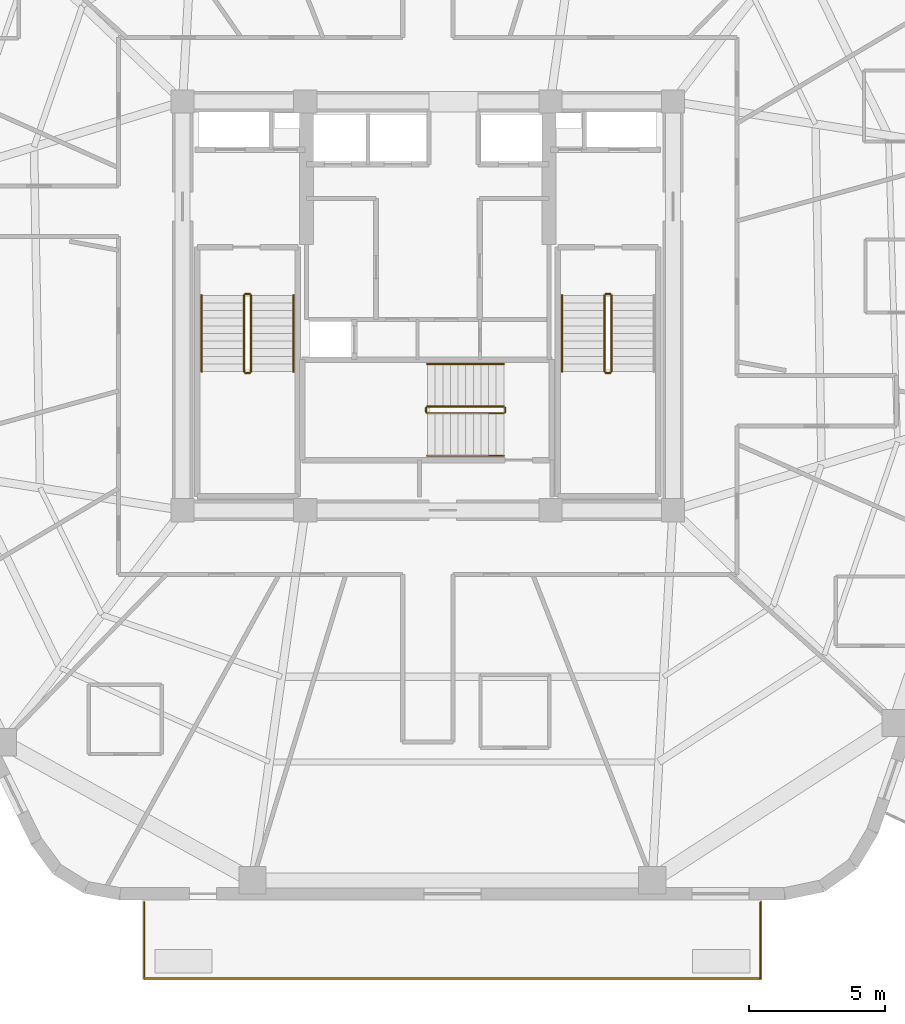
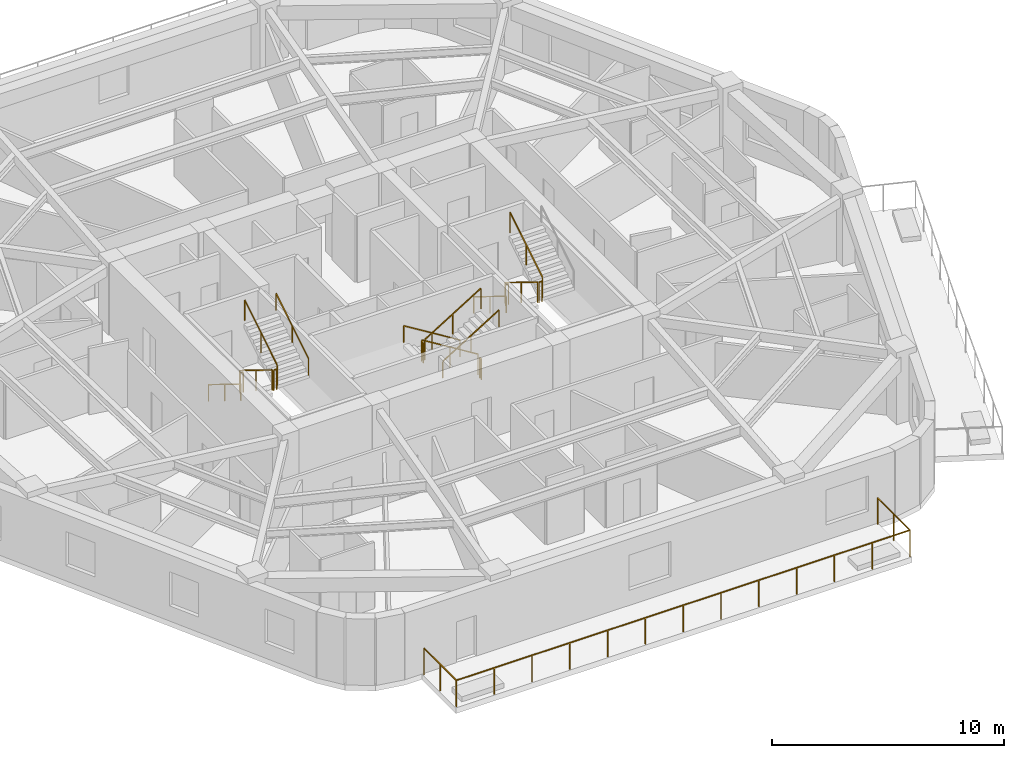
# One storey, part 8 of 9: 18 railings.
"""IFC4 building model written with IfcOpenShell, lengths in metres."""

from ifc_helpers import new_model, si_unit, direction, frame, origin, origin_2d, place, context, subcontext, project, spatial, rectangle, extrude, material, layer, layer_set, type_object, element, save


model = new_model("IFC4")

# Units and contexts
model_context = context("Model", 3, precision=1e-05, world=origin(), true_north=direction((0.0, 1.0)))
body_context = subcontext(model_context, "Body", "Model", "MODEL_VIEW")
ifc_project = project(units=[si_unit("LENGTHUNIT", "METRE"), si_unit("AREAUNIT", "SQUARE_METRE"), si_unit("VOLUMEUNIT", "CUBIC_METRE"), si_unit("PLANEANGLEUNIT", "RADIAN"), si_unit("MASSUNIT", "GRAM", prefix="KILO")], contexts=[model_context])

# Site, building, storey
site_placement = place(None, origin())
site = spatial("IfcSite", under=ifc_project, at=site_placement, CompositionType="ELEMENT")
building_placement = place(site_placement, origin())
building = spatial("IfcBuilding", under=site, at=building_placement, Name="Kilnhurst Terrace Hotel", CompositionType="ELEMENT")
storey_placement = place(building_placement, frame((0.0, 0.0, 225.5)))
storey = spatial("IfcBuildingStorey", under=building, at=storey_placement, Name="L56", CompositionType="ELEMENT", Elevation=225.5)

# Railings
ifc_material_1 = material(Name="Laminated SentryGlas and Stainless Steel AISI 316L Balustrade", Category="steel")
ifc_layer_1 = layer(ifc_material_1, 0.070068359375, Name="Laminated SentryGlas and Stainless Steel AISI 316L Balustrade")
ifc_layer_set_1 = layer_set([ifc_layer_1], Name="Laminated SentryGlas and Stainless Steel AISI 316L Balustrade")
railing_type_1 = type_object("IfcRailingType", Name="RLG-BAL-1420", PredefinedType="BALUSTRADE", material=ifc_layer_set_1)
railing_1_placement = place(storey_placement, frame((12.21484375, -21.8798828125, 0.0)))
element("IfcRailing", 1, at=railing_1_placement, inside=storey, type_object=railing_type_1, Name="L56 Exterior Terrace Guardrail BAL-L1A.1", PredefinedType="BALUSTRADE", context=body_context, shape_type="SweptSolid", body=[
    extrude(rectangle(XDim=0.048095703125, YDim=0.048095703125, at=origin_2d()), frame((0.0, 0.0, 1.39599609375), z_axis=(0.0, -1.0, 0.0), x_axis=(1.0, 0.0, 0.0)), (0.0, 0.0, 1.0), 2.800048828125),
    extrude(rectangle(XDim=0.048095703125, YDim=0.048095703125, at=origin_2d()), frame((0.0, -2.800048828125, 1.39599609375), z_axis=(-1.0, 0.0, 0.0), x_axis=(0.0, -1.0, 0.0)), (0.0, 0.0, 1.0), 22.62353515625),
    extrude(rectangle(XDim=0.048095703125, YDim=0.048095703125, at=origin_2d()), frame((-22.62353515625, -2.800048828125, 1.39599609375), z_axis=(0.0, 1.0, 0.0), x_axis=(-1.0, 0.0, 0.0)), (0.0, 0.0, 1.0), 2.800048828125),
    extrude(rectangle(XDim=0.0419921875, YDim=0.0419921875, at=origin_2d()), origin(), (0.0, 0.0, 1.0), 1.371826171875),
    extrude(rectangle(XDim=0.0419921875, YDim=0.0419921875, at=origin_2d()), frame((0.0, -1.39990234375, 0.0)), (0.0, 0.0, 1.0), 1.371826171875),
    extrude(rectangle(XDim=0.0419921875, YDim=0.0419921875, at=origin_2d()), frame((0.0, -2.800048828125, 0.0)), (0.0, 0.0, 1.0), 1.371826171875),
    extrude(rectangle(XDim=0.0419921875, YDim=0.0419921875, at=origin_2d()), frame((-1.88525390625, -2.800048828125, 0.0)), (0.0, 0.0, 1.0), 1.371826171875),
    extrude(rectangle(XDim=0.0419921875, YDim=0.0419921875, at=origin_2d()), frame((-3.7705078125, -2.800048828125, 0.0)), (0.0, 0.0, 1.0), 1.371826171875),
    extrude(rectangle(XDim=0.0419921875, YDim=0.0419921875, at=origin_2d()), frame((-5.65576171875, -2.800048828125, 0.0)), (0.0, 0.0, 1.0), 1.371826171875),
    extrude(rectangle(XDim=0.0419921875, YDim=0.0419921875, at=origin_2d()), frame((-7.541259765625, -2.800048828125, 0.0)), (0.0, 0.0, 1.0), 1.371826171875),
    extrude(rectangle(XDim=0.0419921875, YDim=0.0419921875, at=origin_2d()), frame((-9.426513671875, -2.800048828125, 0.0)), (0.0, 0.0, 1.0), 1.371826171875),
    extrude(rectangle(XDim=0.0419921875, YDim=0.0419921875, at=origin_2d()), frame((-11.311767578125, -2.800048828125, 0.0)), (0.0, 0.0, 1.0), 1.371826171875),
    extrude(rectangle(XDim=0.0419921875, YDim=0.0419921875, at=origin_2d()), frame((-13.197021484375, -2.800048828125, 0.0)), (0.0, 0.0, 1.0), 1.371826171875),
    extrude(rectangle(XDim=0.0419921875, YDim=0.0419921875, at=origin_2d()), frame((-15.082275390625, -2.800048828125, 0.0)), (0.0, 0.0, 1.0), 1.371826171875),
    extrude(rectangle(XDim=0.0419921875, YDim=0.0419921875, at=origin_2d()), frame((-16.9677734375, -2.800048828125, 0.0)), (0.0, 0.0, 1.0), 1.371826171875),
    extrude(rectangle(XDim=0.0419921875, YDim=0.0419921875, at=origin_2d()), frame((-18.85302734375, -2.800048828125, 0.0)), (0.0, 0.0, 1.0), 1.371826171875),
    extrude(rectangle(XDim=0.0419921875, YDim=0.0419921875, at=origin_2d()), frame((-20.73828125, -2.800048828125, 0.0)), (0.0, 0.0, 1.0), 1.371826171875),
    extrude(rectangle(XDim=0.0419921875, YDim=0.0419921875, at=origin_2d()), frame((-22.62353515625, -2.800048828125, 0.0)), (0.0, 0.0, 1.0), 1.371826171875),
    extrude(rectangle(XDim=0.0419921875, YDim=0.0419921875, at=origin_2d()), frame((-22.62353515625, -1.39990234375, 0.0)), (0.0, 0.0, 1.0), 1.371826171875),
    extrude(rectangle(XDim=0.0419921875, YDim=0.0419921875, at=origin_2d()), frame((-22.62353515625, 0.0, 0.0)), (0.0, 0.0, 1.0), 1.371826171875),
])
ifc_material_2 = material(Name="Powder-Coated Steel ASTM A500 Grade B", Category="steel")
ifc_layer_2 = layer(ifc_material_2, 0.050048828125, Name="Powder-Coated Steel ASTM A500 Grade B")
ifc_layer_set_2 = layer_set([ifc_layer_2], Name="Powder-Coated Steel ASTM A500 Grade B")
railing_type_2 = type_object("IfcRailingType", Name="RLG-ST-GRD-1100", PredefinedType="GUARDRAIL", material=ifc_layer_set_2)
railing_2_placement = place(storey_placement, frame((-6.739990234375, 0.389892578125, 0.172607421875)))
element("IfcRailing", 2, at=railing_2_placement, inside=storey, type_object=railing_type_2, Name="L56 ST-1 stair guard 1", PredefinedType="GUARDRAIL", context=body_context, shape_type="SweptSolid", body=[
    extrude(rectangle(XDim=0.048095703125, YDim=0.048095703125, at=origin_2d()), frame((0.0, 0.0, 1.076171875), z_axis=(0.0, -0.851069175582, 0.525053576669), x_axis=(1.0, 0.0, 0.0)), (0.0, 0.0, 1.0), 3.289794921875),
    extrude(rectangle(XDim=0.0419921875, YDim=0.0419921875, at=origin_2d()), origin(), (0.0, 0.0, 1.0), 1.052001953125),
    extrude(rectangle(XDim=0.0419921875, YDim=0.0419921875, at=origin_2d()), frame((0.0, -1.39990234375, 0.86376953125)), (0.0, 0.0, 1.0), 1.052001953125),
    extrude(rectangle(XDim=0.0419921875, YDim=0.0419921875, at=origin_2d()), frame((0.0, -2.7998046875, 1.727294921875)), (0.0, 0.0, 1.0), 1.052001953125),
])
railing_3_placement = place(storey_placement, frame((-6.68994140625, -2.4599609375, 1.89990234375)))
element("IfcRailing", 3, at=railing_3_placement, inside=storey, type_object=railing_type_2, Name="L56 ST-1 stair guard 2", PredefinedType="GUARDRAIL", context=body_context, shape_type="SweptSolid", body=[
    extrude(rectangle(XDim=0.048095703125, YDim=0.048095703125, at=origin_2d()), frame((0.0, 0.0, 1.076171875), z_axis=(1.0, 0.0, 0.0), x_axis=(0.0, 1.0, 0.0)), (0.0, 0.0, 1.0), 0.14990234375),
    extrude(rectangle(XDim=0.0419921875, YDim=0.0419921875, at=origin_2d()), origin(), (0.0, 0.0, 1.0), 1.052001953125),
    extrude(rectangle(XDim=0.0419921875, YDim=0.0419921875, at=origin_2d()), frame((0.14990234375, 0.0, 0.0)), (0.0, 0.0, 1.0), 1.052001953125),
])
railing_4_placement = place(storey_placement, frame((-6.489990234375, -2.409912109375, 2.07275390625)))
element("IfcRailing", 4, at=railing_4_placement, inside=storey, type_object=railing_type_2, Name="L56 ST-1 stair guard 3", PredefinedType="GUARDRAIL", context=body_context, shape_type="SweptSolid", body=[
    extrude(rectangle(XDim=0.048095703125, YDim=0.048095703125, at=origin_2d()), frame((0.0, 0.0, 1.076171875), z_axis=(0.0, 0.851069175582, 0.525053576669), x_axis=(-1.0, 0.0, 0.0)), (0.0, 0.0, 1.0), 3.289794921875),
    extrude(rectangle(XDim=0.0419921875, YDim=0.0419921875, at=origin_2d()), origin(), (0.0, 0.0, 1.0), 1.052001953125),
    extrude(rectangle(XDim=0.0419921875, YDim=0.0419921875, at=origin_2d()), frame((0.0, 1.39990234375, 0.86376953125)), (0.0, 0.0, 1.0), 1.052001953125),
    extrude(rectangle(XDim=0.0419921875, YDim=0.0419921875, at=origin_2d()), frame((0.0, 2.7998046875, 1.727294921875)), (0.0, 0.0, 1.0), 1.052001953125),
])
railing_5_placement = place(storey_placement, frame((-6.68994140625, 0.43994140625, 0.0)))
element("IfcRailing", 5, at=railing_5_placement, inside=storey, type_object=railing_type_2, Name="L56 ST-1 stair guard 4", PredefinedType="GUARDRAIL", context=body_context, shape_type="SweptSolid", body=[
    extrude(rectangle(XDim=0.048095703125, YDim=0.048095703125, at=origin_2d()), frame((0.0, 0.0, 1.076171875), z_axis=(1.0, 0.0, 0.0), x_axis=(0.0, 1.0, 0.0)), (0.0, 0.0, 1.0), 0.14990234375),
    extrude(rectangle(XDim=0.0419921875, YDim=0.0419921875, at=origin_2d()), origin(), (0.0, 0.0, 1.0), 1.052001953125),
    extrude(rectangle(XDim=0.0419921875, YDim=0.0419921875, at=origin_2d()), frame((0.14990234375, 0.0, 0.0)), (0.0, 0.0, 1.0), 1.052001953125),
])
railing_6_placement = place(storey_placement, frame((6.489990234375, 0.389892578125, 0.172607421875)))
element("IfcRailing", 6, at=railing_6_placement, inside=storey, type_object=railing_type_2, Name="L56 ST-2 stair guard 1", PredefinedType="GUARDRAIL", context=body_context, shape_type="SweptSolid", body=[
    extrude(rectangle(XDim=0.048095703125, YDim=0.048095703125, at=origin_2d()), frame((0.0, 0.0, 1.076171875), z_axis=(0.0, -0.851069175582, 0.525053576669), x_axis=(1.0, 0.0, 0.0)), (0.0, 0.0, 1.0), 3.289794921875),
    extrude(rectangle(XDim=0.0419921875, YDim=0.0419921875, at=origin_2d()), origin(), (0.0, 0.0, 1.0), 1.052001953125),
    extrude(rectangle(XDim=0.0419921875, YDim=0.0419921875, at=origin_2d()), frame((0.0, -1.39990234375, 0.86376953125)), (0.0, 0.0, 1.0), 1.052001953125),
    extrude(rectangle(XDim=0.0419921875, YDim=0.0419921875, at=origin_2d()), frame((0.0, -2.7998046875, 1.727294921875)), (0.0, 0.0, 1.0), 1.052001953125),
])
railing_7_placement = place(storey_placement, frame((6.5400390625, -2.4599609375, 1.89990234375)))
element("IfcRailing", 7, at=railing_7_placement, inside=storey, type_object=railing_type_2, Name="L56 ST-2 stair guard 2", PredefinedType="GUARDRAIL", context=body_context, shape_type="SweptSolid", body=[
    extrude(rectangle(XDim=0.048095703125, YDim=0.048095703125, at=origin_2d()), frame((0.0, 0.0, 1.076171875), z_axis=(1.0, 0.0, 0.0), x_axis=(0.0, 1.0, 0.0)), (0.0, 0.0, 1.0), 0.14990234375),
    extrude(rectangle(XDim=0.0419921875, YDim=0.0419921875, at=origin_2d()), origin(), (0.0, 0.0, 1.0), 1.052001953125),
    extrude(rectangle(XDim=0.0419921875, YDim=0.0419921875, at=origin_2d()), frame((0.14990234375, 0.0, 0.0)), (0.0, 0.0, 1.0), 1.052001953125),
])
railing_8_placement = place(storey_placement, frame((6.739990234375, -2.409912109375, 2.07275390625)))
element("IfcRailing", 8, at=railing_8_placement, inside=storey, type_object=railing_type_2, Name="L56 ST-2 stair guard 3", PredefinedType="GUARDRAIL", context=body_context, shape_type="SweptSolid", body=[
    extrude(rectangle(XDim=0.048095703125, YDim=0.048095703125, at=origin_2d()), frame((0.0, 0.0, 1.076171875), z_axis=(0.0, 0.851069175582, 0.525053576669), x_axis=(-1.0, 0.0, 0.0)), (0.0, 0.0, 1.0), 3.289794921875),
    extrude(rectangle(XDim=0.0419921875, YDim=0.0419921875, at=origin_2d()), origin(), (0.0, 0.0, 1.0), 1.052001953125),
    extrude(rectangle(XDim=0.0419921875, YDim=0.0419921875, at=origin_2d()), frame((0.0, 1.39990234375, 0.86376953125)), (0.0, 0.0, 1.0), 1.052001953125),
    extrude(rectangle(XDim=0.0419921875, YDim=0.0419921875, at=origin_2d()), frame((0.0, 2.7998046875, 1.727294921875)), (0.0, 0.0, 1.0), 1.052001953125),
])
railing_9_placement = place(storey_placement, frame((6.5400390625, 0.43994140625, 0.0)))
element("IfcRailing", 9, at=railing_9_placement, inside=storey, type_object=railing_type_2, Name="L56 ST-2 stair guard 4", PredefinedType="GUARDRAIL", context=body_context, shape_type="SweptSolid", body=[
    extrude(rectangle(XDim=0.048095703125, YDim=0.048095703125, at=origin_2d()), frame((0.0, 0.0, 1.076171875), z_axis=(1.0, 0.0, 0.0), x_axis=(0.0, 1.0, 0.0)), (0.0, 0.0, 1.0), 0.14990234375),
    extrude(rectangle(XDim=0.0419921875, YDim=0.0419921875, at=origin_2d()), origin(), (0.0, 0.0, 1.0), 1.052001953125),
    extrude(rectangle(XDim=0.0419921875, YDim=0.0419921875, at=origin_2d()), frame((0.14990234375, 0.0, 0.0)), (0.0, 0.0, 1.0), 1.052001953125),
])
railing_10_placement = place(storey_placement, frame((2.7900390625, -3.68994140625, 0.172607421875)))
element("IfcRailing", 10, at=railing_10_placement, inside=storey, type_object=railing_type_2, Name="L56 ST-3 stair guard 1", PredefinedType="GUARDRAIL", context=body_context, shape_type="SweptSolid", body=[
    extrude(rectangle(XDim=0.048095703125, YDim=0.048095703125, at=origin_2d()), frame((0.0, 0.0, 1.076171875), z_axis=(-0.851089632645, 0.0, 0.525020415988), x_axis=(0.0, -1.0, 0.0)), (0.0, 0.0, 1.0), 3.2900390625),
    extrude(rectangle(XDim=0.0419921875, YDim=0.0419921875, at=origin_2d()), origin(), (0.0, 0.0, 1.0), 1.052001953125),
    extrude(rectangle(XDim=0.0419921875, YDim=0.0419921875, at=origin_2d()), frame((-1.39990234375, 0.0, 0.86376953125)), (0.0, 0.0, 1.0), 1.052001953125),
    extrude(rectangle(XDim=0.0419921875, YDim=0.0419921875, at=origin_2d()), frame((-2.800048828125, 0.0, 1.727294921875)), (0.0, 0.0, 1.0), 1.052001953125),
])
railing_11_placement = place(storey_placement, frame((-0.06005859375, -3.739990234375, 1.89990234375)))
element("IfcRailing", 11, at=railing_11_placement, inside=storey, type_object=railing_type_2, Name="L56 ST-3 stair guard 2", PredefinedType="GUARDRAIL", context=body_context, shape_type="SweptSolid", body=[
    extrude(rectangle(XDim=0.048095703125, YDim=0.048095703125, at=origin_2d()), frame((0.0, 0.0, 1.076171875), z_axis=(0.0, -1.0, 0.0), x_axis=(1.0, 0.0, 0.0)), (0.0, 0.0, 1.0), 0.14990234375),
    extrude(rectangle(XDim=0.0419921875, YDim=0.0419921875, at=origin_2d()), origin(), (0.0, 0.0, 1.0), 1.052001953125),
    extrude(rectangle(XDim=0.0419921875, YDim=0.0419921875, at=origin_2d()), frame((0.0, -0.14990234375, 0.0)), (0.0, 0.0, 1.0), 1.052001953125),
])
railing_12_placement = place(storey_placement, frame((-0.010009765625, -3.93994140625, 2.07275390625)))
element("IfcRailing", 12, at=railing_12_placement, inside=storey, type_object=railing_type_2, Name="L56 ST-3 stair guard 3", PredefinedType="GUARDRAIL", context=body_context, shape_type="SweptSolid", body=[
    extrude(rectangle(XDim=0.048095703125, YDim=0.048095703125, at=origin_2d()), frame((0.0, 0.0, 1.076171875), z_axis=(0.851089632645, 0.0, 0.525020415988), x_axis=(0.0, 1.0, 0.0)), (0.0, 0.0, 1.0), 3.2900390625),
    extrude(rectangle(XDim=0.0419921875, YDim=0.0419921875, at=origin_2d()), origin(), (0.0, 0.0, 1.0), 1.052001953125),
    extrude(rectangle(XDim=0.0419921875, YDim=0.0419921875, at=origin_2d()), frame((1.39990234375, 0.0, 0.86376953125)), (0.0, 0.0, 1.0), 1.052001953125),
    extrude(rectangle(XDim=0.0419921875, YDim=0.0419921875, at=origin_2d()), frame((2.800048828125, 0.0, 1.727294921875)), (0.0, 0.0, 1.0), 1.052001953125),
])
railing_13_placement = place(storey_placement, frame((2.840087890625, -3.739990234375, 0.0)))
element("IfcRailing", 13, at=railing_13_placement, inside=storey, type_object=railing_type_2, Name="L56 ST-3 stair guard 4", PredefinedType="GUARDRAIL", context=body_context, shape_type="SweptSolid", body=[
    extrude(rectangle(XDim=0.048095703125, YDim=0.048095703125, at=origin_2d()), frame((0.0, 0.0, 1.076171875), z_axis=(0.0, -1.0, 0.0), x_axis=(1.0, 0.0, 0.0)), (0.0, 0.0, 1.0), 0.14990234375),
    extrude(rectangle(XDim=0.0419921875, YDim=0.0419921875, at=origin_2d()), origin(), (0.0, 0.0, 1.0), 1.052001953125),
    extrude(rectangle(XDim=0.0419921875, YDim=0.0419921875, at=origin_2d()), frame((0.0, -0.14990234375, 0.0)), (0.0, 0.0, 1.0), 1.052001953125),
])
ifc_material_3 = material(Name="Brushed Stainless Steel AISI 304", Category="steel")
ifc_layer_3 = layer(ifc_material_3, 0.048095703125, Name="Brushed Stainless Steel AISI 304")
ifc_layer_set_3 = layer_set([ifc_layer_3], Name="Brushed Stainless Steel AISI 304")
railing_type_3 = type_object("IfcRailingType", Name="RLG-ST-HRL-900", PredefinedType="HANDRAIL", material=ifc_layer_set_3)
railing_14_placement = place(storey_placement, frame((-8.300048828125, 0.389892578125, 0.172607421875)))
element("IfcRailing", 14, at=railing_14_placement, inside=storey, type_object=railing_type_3, Name="L56 ST-1 stair handrail 1", PredefinedType="HANDRAIL", context=body_context, shape_type="SweptSolid", body=[
    extrude(rectangle(XDim=0.048095703125, YDim=0.048095703125, at=origin_2d()), frame((0.0, 0.0, 0.8759765625), z_axis=(0.0, -0.851069175582, 0.525053576669), x_axis=(1.0, 0.0, 0.0)), (0.0, 0.0, 1.0), 3.289794921875),
    extrude(rectangle(XDim=0.0419921875, YDim=0.0419921875, at=origin_2d()), origin(), (0.0, 0.0, 1.0), 0.851806640625),
    extrude(rectangle(XDim=0.0419921875, YDim=0.0419921875, at=origin_2d()), frame((0.0, -1.39990234375, 0.86376953125)), (0.0, 0.0, 1.0), 0.851806640625),
    extrude(rectangle(XDim=0.0419921875, YDim=0.0419921875, at=origin_2d()), frame((0.0, -2.7998046875, 1.727294921875)), (0.0, 0.0, 1.0), 0.851806640625),
])
railing_15_placement = place(storey_placement, frame((-4.929931640625, -2.409912109375, 2.07275390625)))
element("IfcRailing", 15, at=railing_15_placement, inside=storey, type_object=railing_type_3, Name="L56 ST-1 stair handrail 2", PredefinedType="HANDRAIL", context=body_context, shape_type="SweptSolid", body=[
    extrude(rectangle(XDim=0.048095703125, YDim=0.048095703125, at=origin_2d()), frame((0.0, 0.0, 0.8759765625), z_axis=(0.0, 0.851069175582, 0.525053576669), x_axis=(-1.0, 0.0, 0.0)), (0.0, 0.0, 1.0), 3.289794921875),
    extrude(rectangle(XDim=0.0419921875, YDim=0.0419921875, at=origin_2d()), origin(), (0.0, 0.0, 1.0), 0.851806640625),
    extrude(rectangle(XDim=0.0419921875, YDim=0.0419921875, at=origin_2d()), frame((0.0, 1.39990234375, 0.86376953125)), (0.0, 0.0, 1.0), 0.851806640625),
    extrude(rectangle(XDim=0.0419921875, YDim=0.0419921875, at=origin_2d()), frame((0.0, 2.7998046875, 1.727294921875)), (0.0, 0.0, 1.0), 0.851806640625),
])
railing_16_placement = place(storey_placement, frame((4.929931640625, 0.389892578125, 0.172607421875)))
element("IfcRailing", 16, at=railing_16_placement, inside=storey, type_object=railing_type_3, Name="L56 ST-2 stair handrail 1", PredefinedType="HANDRAIL", context=body_context, shape_type="SweptSolid", body=[
    extrude(rectangle(XDim=0.048095703125, YDim=0.048095703125, at=origin_2d()), frame((0.0, 0.0, 0.8759765625), z_axis=(0.0, -0.851069175582, 0.525053576669), x_axis=(1.0, 0.0, 0.0)), (0.0, 0.0, 1.0), 3.289794921875),
    extrude(rectangle(XDim=0.0419921875, YDim=0.0419921875, at=origin_2d()), origin(), (0.0, 0.0, 1.0), 0.851806640625),
    extrude(rectangle(XDim=0.0419921875, YDim=0.0419921875, at=origin_2d()), frame((0.0, -1.39990234375, 0.86376953125)), (0.0, 0.0, 1.0), 0.851806640625),
    extrude(rectangle(XDim=0.0419921875, YDim=0.0419921875, at=origin_2d()), frame((0.0, -2.7998046875, 1.727294921875)), (0.0, 0.0, 1.0), 0.851806640625),
])
railing_17_placement = place(storey_placement, frame((2.7900390625, -2.1298828125, 0.172607421875)))
element("IfcRailing", 17, at=railing_17_placement, inside=storey, type_object=railing_type_3, Name="L56 ST-3 stair handrail 1", PredefinedType="HANDRAIL", context=body_context, shape_type="SweptSolid", body=[
    extrude(rectangle(XDim=0.048095703125, YDim=0.048095703125, at=origin_2d()), frame((0.0, 0.0, 0.8759765625), z_axis=(-0.851089632645, 0.0, 0.525020415988), x_axis=(0.0, -1.0, 0.0)), (0.0, 0.0, 1.0), 3.2900390625),
    extrude(rectangle(XDim=0.0419921875, YDim=0.0419921875, at=origin_2d()), origin(), (0.0, 0.0, 1.0), 0.851806640625),
    extrude(rectangle(XDim=0.0419921875, YDim=0.0419921875, at=origin_2d()), frame((-1.39990234375, 0.0, 0.86376953125)), (0.0, 0.0, 1.0), 0.851806640625),
    extrude(rectangle(XDim=0.0419921875, YDim=0.0419921875, at=origin_2d()), frame((-2.800048828125, 0.0, 1.727294921875)), (0.0, 0.0, 1.0), 0.851806640625),
])
railing_18_placement = place(storey_placement, frame((-0.010009765625, -5.5, 2.07275390625)))
element("IfcRailing", 18, at=railing_18_placement, inside=storey, type_object=railing_type_3, Name="L56 ST-3 stair handrail 2", PredefinedType="HANDRAIL", context=body_context, shape_type="SweptSolid", body=[
    extrude(rectangle(XDim=0.048095703125, YDim=0.048095703125, at=origin_2d()), frame((0.0, 0.0, 0.8759765625), z_axis=(0.851089632645, 0.0, 0.525020415988), x_axis=(0.0, 1.0, 0.0)), (0.0, 0.0, 1.0), 3.2900390625),
    extrude(rectangle(XDim=0.0419921875, YDim=0.0419921875, at=origin_2d()), origin(), (0.0, 0.0, 1.0), 0.851806640625),
    extrude(rectangle(XDim=0.0419921875, YDim=0.0419921875, at=origin_2d()), frame((1.39990234375, 0.0, 0.86376953125)), (0.0, 0.0, 1.0), 0.851806640625),
    extrude(rectangle(XDim=0.0419921875, YDim=0.0419921875, at=origin_2d()), frame((2.800048828125, 0.0, 1.727294921875)), (0.0, 0.0, 1.0), 0.851806640625),
])

save(model, "model.ifc")
